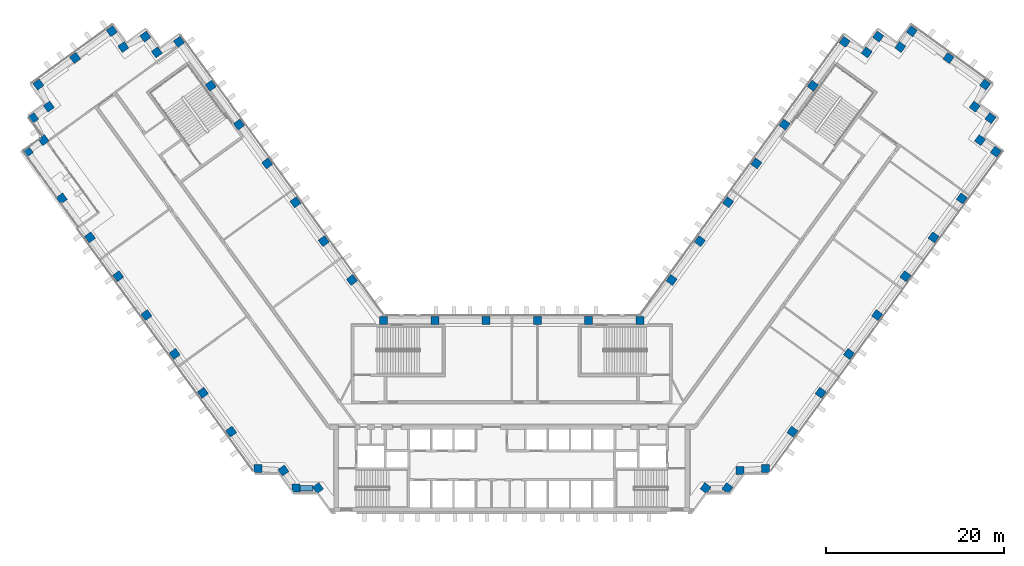
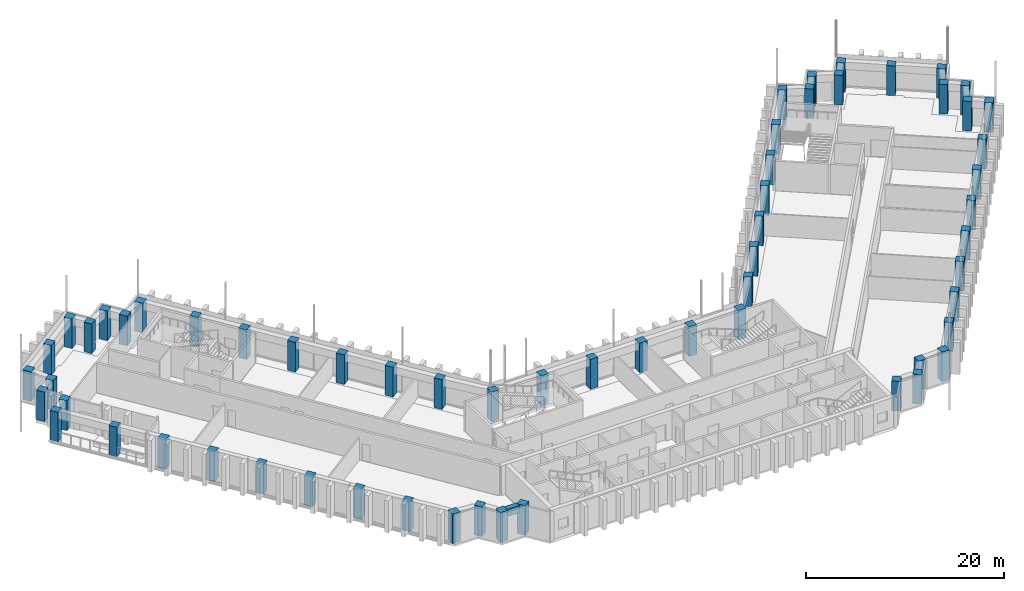
# One storey, part 1 of 19: 62 columns, 1 beam.
"""IFC4 building model written with IfcOpenShell, lengths in metres."""

from ifc_helpers import new_model, si_unit, direction, frame, origin, origin_2d, place, context, subcontext, project, spatial, rectangle, extrude, material, material_profile, profile_set, type_object, element, save


model = new_model("IFC4")

# Units and contexts
model_context = context("Model", 3, precision=1e-05, world=origin(), true_north=direction((0.0, 1.0)))
body_context = subcontext(model_context, "Body", "Model", "MODEL_VIEW")
ifc_project = project(units=[si_unit("LENGTHUNIT", "METRE"), si_unit("AREAUNIT", "SQUARE_METRE"), si_unit("VOLUMEUNIT", "CUBIC_METRE"), si_unit("PLANEANGLEUNIT", "RADIAN"), si_unit("MASSUNIT", "GRAM", prefix="KILO")], contexts=[model_context])

# Site, building, storey
site_placement = place(None, origin())
site = spatial("IfcSite", under=ifc_project, at=site_placement, CompositionType="ELEMENT")
building_placement = place(site_placement, origin())
building = spatial("IfcBuilding", under=site, at=building_placement, Name="Quipu Civic Tower", CompositionType="ELEMENT")
storey_placement = place(building_placement, frame((0.0, 0.0, 35.0)))
storey = spatial("IfcBuildingStorey", under=building, at=storey_placement, Name="L07", CompositionType="ELEMENT", Elevation=35.0)

# Columns
ifc_material_1 = material(Name="Concrete C70/85", Category="concrete")
ifc_material_profile_1 = material_profile(ifc_material_1, rectangle(XDim=0.89990234375, YDim=0.89990234375, at=origin_2d()), Name="RC900x900")
ifc_profile_set_1 = profile_set([ifc_material_profile_1], Name="Concrete C70/85")
column_type = type_object("IfcColumnType", Name="Perimeter column RC 900x900 C70/85", PredefinedType="COLUMN", material=ifc_profile_set_1)
for number, where, z_axis, x_axis, name in (
    (1, (-17.9736328125, 15.074951171875, 0.0), (0.0, 0.0, 1.0), (-0.587785252292, 0.809016994375, 0.0), "Column L07 W-IN-01"),
    (2, (-21.1474609375, 19.44384765625, 0.0), (0.0, 0.0, 1.0), (-0.587785252292, 0.809016994375, 0.0), "Column L07 W-IN-02"),
    (3, (-24.3212890625, 23.8125, 0.0), (0.0, 0.0, 1.0), (-0.587785252292, 0.809016994375, 0.0), "Column L07 W-IN-03"),
    (4, (-27.4951171875, 28.181396484375, 0.0), (0.0, 0.0, 1.0), (-0.587785252292, 0.809016994375, 0.0), "Column L07 W-IN-04"),
    (5, (-30.6689453125, 32.55029296875, 0.0), (0.0, 0.0, 1.0), (-0.587785252292, 0.809016994375, 0.0), "Column L07 W-IN-05"),
    (6, (-33.843017578125, 36.919189453125, 0.0), (0.0, 0.0, 1.0), (-0.587785252292, 0.809016994375, 0.0), "Column L07 W-IN-06"),
    (7, (-37.425048828125, 41.85009765625, 0.0), (0.0, 0.0, 1.0), (-0.587785252292, 0.809016994375, 0.0), "Column L07 T-Wi.0-W50"),
    (8, (-39.905517578125, 40.666015625, 0.0), (0.0, 0.0, 1.0), (-0.587785252292, 0.809016994375, 0.0), "Column L07 T-Wi.1-W50"),
    (9, (-41.199951171875, 42.445068359375, 0.0), (0.0, 0.0, 1.0), (-0.587785252292, 0.809016994375, 0.0), "Column L07 T-Wi.2-W50"),
    (10, (-43.674560546875, 41.264892578125, 0.0), (0.0, 0.0, 1.0), (-0.809016994375, -0.587785252292, 0.0), "Column L07 T-Wi.3-W50"),
    (11, (-44.969970703125, 43.044921875, 0.0), (0.0, 0.0, 1.0), (-0.809016994375, -0.587785252292, 0.0), "Column L07 T-Wi.4-W50"),
    (12, (-49.095703125, 40.046875, 0.0), (0.0, 0.0, 1.0), (-0.809016994375, -0.587785252292, 0.0), "Column L07 TIP-W-01-W50"),
    (13, (-53.219970703125, 37.050048828125, 0.0), (0.0, 0.0, 1.0), (0.587785252292, -0.809016994375, 0.0), "Column L07 T-Wo.0-W50"),
    (14, (-52.038818359375, 34.571044921875, 0.0), (0.0, 0.0, 1.0), (-0.809016994375, -0.587785252292, 0.0), "Column L07 T-Wo.1-W50"),
    (15, (-53.820068359375, 33.27490234375, 0.0), (0.0, 0.0, 1.0), (0.587785252292, -0.809016994375, 0.0), "Column L07 T-Wo.2-W50"),
    (16, (-52.635986328125, 30.799560546875, 0.0), (0.0, 0.0, 1.0), (-0.809016994375, -0.587785252292, 0.0), "Column L07 T-Wo.3-W50"),
    (17, (-54.4150390625, 29.5048828125, 0.0), (0.0, 0.0, 1.0), (0.587785252292, -0.809016994375, 0.0), "Column L07 T-Wo.4-W50"),
    (18, (-50.59228515625, 24.243408203125, 0.0), (0.0, 0.0, 1.0), (0.587785252292, -0.809016994375, 0.0), "Column L07 W-OUT-07"),
    (19, (-47.41845703125, 19.874755859375, 0.0), (0.0, 0.0, 1.0), (0.587785252292, -0.809016994375, 0.0), "Column L07 W-OUT-06"),
    (20, (-44.244384765625, 15.506103515625, 0.0), (0.0, 0.0, 1.0), (0.587785252292, -0.809016994375, 0.0), "Column L07 W-OUT-05"),
    (21, (-41.0703125, 11.137451171875, 0.0), (0.0, 0.0, 1.0), (0.587785252292, -0.809016994375, 0.0), "Column L07 W-OUT-04"),
    (22, (-37.896240234375, 6.768798828125, 0.0), (0.0, 0.0, 1.0), (0.587785252292, -0.809016994375, 0.0), "Column L07 W-OUT-03"),
    (23, (-34.722412109375, 2.39990234375, 0.0), (0.0, 0.0, 1.0), (0.587785252292, -0.809016994375, 0.0), "Column L07 W-OUT-02"),
    (24, (-31.54833984375, -1.96875, 0.0), (0.0, 0.0, 1.0), (0.587785252292, -0.809016994375, 0.0), "Column L07 W-OUT-01"),
    (25, (-28.52490234375, -6.1298828125, 0.0), (0.0, 0.0, 1.0), (1.0, 0.0, 0.0), "Column L07 J-Wo.0"),
    (26, (-25.67431640625, -6.3369140625, 0.0), (0.0, 0.0, 1.0), (0.587785252292, -0.809016994375, 0.0), "Column L07 J-Wo.1"),
    (27, (-24.235107421875, -8.31494140625, 0.0), (0.0, 0.0, 1.0), (1.0, 0.0, 0.0), "Column L07 J-Wo.2"),
    (28, (-21.791748046875, -8.31494140625, 0.0), (0.0, 0.0, 1.0), (0.587785252292, -0.809016994375, 0.0), "Column L07 J-Wo.3"),
    (29, (21.791748046875, -8.31494140625, 0.0), (0.0, 0.0, 1.0), (0.587785252292, 0.809016994375, 0.0), "Column L07 J-Eo.1"),
    (30, (24.235107421875, -8.31494140625, 0.0), (0.0, 0.0, 1.0), (0.587785252292, 0.809016994375, 0.0), "Column L07 J-Eo.2"),
    (31, (25.67431640625, -6.3369140625, 0.0), (0.0, 0.0, 1.0), (1.0, 0.0, 0.0), "Column L07 J-Eo.3"),
    (32, (28.52490234375, -6.1298828125, 0.0), (0.0, 0.0, 1.0), (1.0, 0.0, 0.0), "Column L07 J-Eo.4"),
    (33, (31.54833984375, -1.96875, 0.0), (0.0, 0.0, 1.0), (0.587785252292, 0.809016994375, 0.0), "Column L07 E-OUT-01"),
    (34, (34.722412109375, 2.39990234375, 0.0), (0.0, 0.0, 1.0), (0.587785252292, 0.809016994375, 0.0), "Column L07 E-OUT-02"),
    (35, (37.896240234375, 6.768798828125, 0.0), (0.0, 0.0, 1.0), (0.587785252292, 0.809016994375, 0.0), "Column L07 E-OUT-03"),
    (36, (41.0703125, 11.137451171875, 0.0), (0.0, 0.0, 1.0), (0.587785252292, 0.809016994375, 0.0), "Column L07 E-OUT-04"),
    (37, (44.244384765625, 15.506103515625, 0.0), (0.0, 0.0, 1.0), (0.587785252292, 0.809016994375, 0.0), "Column L07 E-OUT-05"),
    (38, (47.41845703125, 19.874755859375, 0.0), (0.0, 0.0, 1.0), (0.587785252292, 0.809016994375, 0.0), "Column L07 E-OUT-06"),
    (39, (50.59228515625, 24.243408203125, 0.0), (0.0, 0.0, 1.0), (0.587785252292, 0.809016994375, 0.0), "Column L07 E-OUT-07"),
    (40, (54.4150390625, 29.5048828125, 0.0), (0.0, 0.0, 1.0), (0.587785252292, 0.809016994375, 0.0), "Column L07 T-Eo.0-E50"),
    (41, (52.635986328125, 30.799560546875, 0.0), (0.0, 0.0, 1.0), (-0.809016994375, 0.587785252292, 0.0), "Column L07 T-Eo.1-E50"),
    (42, (53.820068359375, 33.27490234375, 0.0), (0.0, 0.0, 1.0), (-0.809016994375, 0.587785252292, 0.0), "Column L07 T-Eo.2-E50"),
    (43, (52.038818359375, 34.571044921875, 0.0), (0.0, 0.0, 1.0), (0.587785252292, 0.809016994375, 0.0), "Column L07 T-Eo.3-E50"),
    (44, (53.219970703125, 37.050048828125, 0.0), (0.0, 0.0, 1.0), (-0.809016994375, 0.587785252292, 0.0), "Column L07 T-Eo.4-E50"),
    (45, (49.095703125, 40.046875, 0.0), (0.0, 0.0, 1.0), (-0.809016994375, 0.587785252292, 0.0), "Column L07 TIP-E-01-E50"),
    (46, (44.969970703125, 43.044921875, 0.0), (0.0, 0.0, 1.0), (-0.809016994375, 0.587785252292, 0.0), "Column L07 T-Ei.0-E50"),
    (47, (43.674560546875, 41.264892578125, 0.0), (0.0, 0.0, 1.0), (-0.809016994375, 0.587785252292, 0.0), "Column L07 T-Ei.1-E50"),
    (48, (41.199951171875, 42.445068359375, 0.0), (0.0, 0.0, 1.0), (-0.587785252292, -0.809016994375, 0.0), "Column L07 T-Ei.2-E50"),
    (49, (39.905517578125, 40.666015625, 0.0), (0.0, 0.0, 1.0), (-0.587785252292, -0.809016994375, 0.0), "Column L07 T-Ei.3-E50"),
    (50, (37.425048828125, 41.85009765625, 0.0), (0.0, 0.0, 1.0), (-0.587785252292, -0.809016994375, 0.0), "Column L07 T-Ei.4-E50"),
    (51, (33.843017578125, 36.919189453125, 0.0), (0.0, 0.0, 1.0), (-0.587785252292, -0.809016994375, 0.0), "Column L07 E-IN-06"),
    (52, (30.6689453125, 32.55029296875, 0.0), (0.0, 0.0, 1.0), (-0.587785252292, -0.809016994375, 0.0), "Column L07 E-IN-05"),
    (53, (27.4951171875, 28.181396484375, 0.0), (0.0, 0.0, 1.0), (-0.587785252292, -0.809016994375, 0.0), "Column L07 E-IN-04"),
    (54, (24.3212890625, 23.8125, 0.0), (0.0, 0.0, 1.0), (-0.587785252292, -0.809016994375, 0.0), "Column L07 E-IN-03"),
    (55, (21.1474609375, 19.44384765625, 0.0), (0.0, 0.0, 1.0), (-0.587785252292, -0.809016994375, 0.0), "Column L07 E-IN-02"),
    (56, (17.9736328125, 15.074951171875, 0.0), (0.0, 0.0, 1.0), (-0.587785252292, -0.809016994375, 0.0), "Column L07 E-IN-01"),
    (57, (14.395263671875, 10.5, 0.0), (0.0, 0.0, 1.0), (-1.0, 0.0, 0.0), "Column L07 J-Ei.0"),
    (58, (8.63720703125, 10.5, 0.0), (0.0, 0.0, 1.0), (-1.0, 0.0, 0.0), "Column L07 FRONT-01"),
    (59, (2.87890625, 10.5, 0.0), (0.0, 0.0, 1.0), (-1.0, 0.0, 0.0), "Column L07 FRONT-02"),
    (60, (-2.87890625, 10.5, 0.0), (0.0, 0.0, 1.0), (-1.0, 0.0, 0.0), "Column L07 FRONT-03"),
    (61, (-8.63720703125, 10.5, 0.0), (0.0, 0.0, 1.0), (-1.0, 0.0, 0.0), "Column L07 FRONT-04"),
    (62, (-14.395263671875, 10.5, 0.0), (0.0, 0.0, 1.0), (-1.0, 0.0, 0.0), "Column L07 J-Wi.0"),
):
    element("IfcColumn", number, at=place(storey_placement, frame(where, z_axis=z_axis, x_axis=x_axis)), inside=storey, type_object=column_type, Name=name, PredefinedType="COLUMN", context=body_context, shape_type="SweptSolid", body=[
        extrude(rectangle(XDim=0.89990234375, YDim=0.89990234375, at=origin_2d()), origin(), (0.0, 0.0, 1.0), 3.64990234375),
    ])

# Beam
ifc_material_2 = material(Name="Concrete C50/60", Category="concrete")
ifc_material_profile_2 = material_profile(ifc_material_2, rectangle(XDim=0.60009765625, YDim=0.89990234375, at=origin_2d()), Name="RC600x900")
ifc_profile_set_2 = profile_set([ifc_material_profile_2], Name="Concrete C50/60")
beam_type = type_object("IfcBeamType", Name="Spandrel beam RC 600x900 C50/60", PredefinedType="SPANDREL", material=ifc_profile_set_2)
beam_placement = place(storey_placement, frame((-23.784912109375, -8.31494140625, 3.199951171875), z_axis=(1.0, 0.0, 0.0), x_axis=(0.0, 1.0, 0.0)))
element("IfcBeam", 63, at=beam_placement, inside=storey, type_object=beam_type, Name="Spandrel beam L07 J-Wo.2 to J-Wo.3", PredefinedType="SPANDREL", context=body_context, shape_type="SweptSolid", body=[
    extrude(rectangle(XDim=0.60009765625, YDim=0.89990234375, at=origin_2d()), origin(), (0.0, 0.0, 1.0), 1.436767578125),
])

save(model, "model.ifc")
